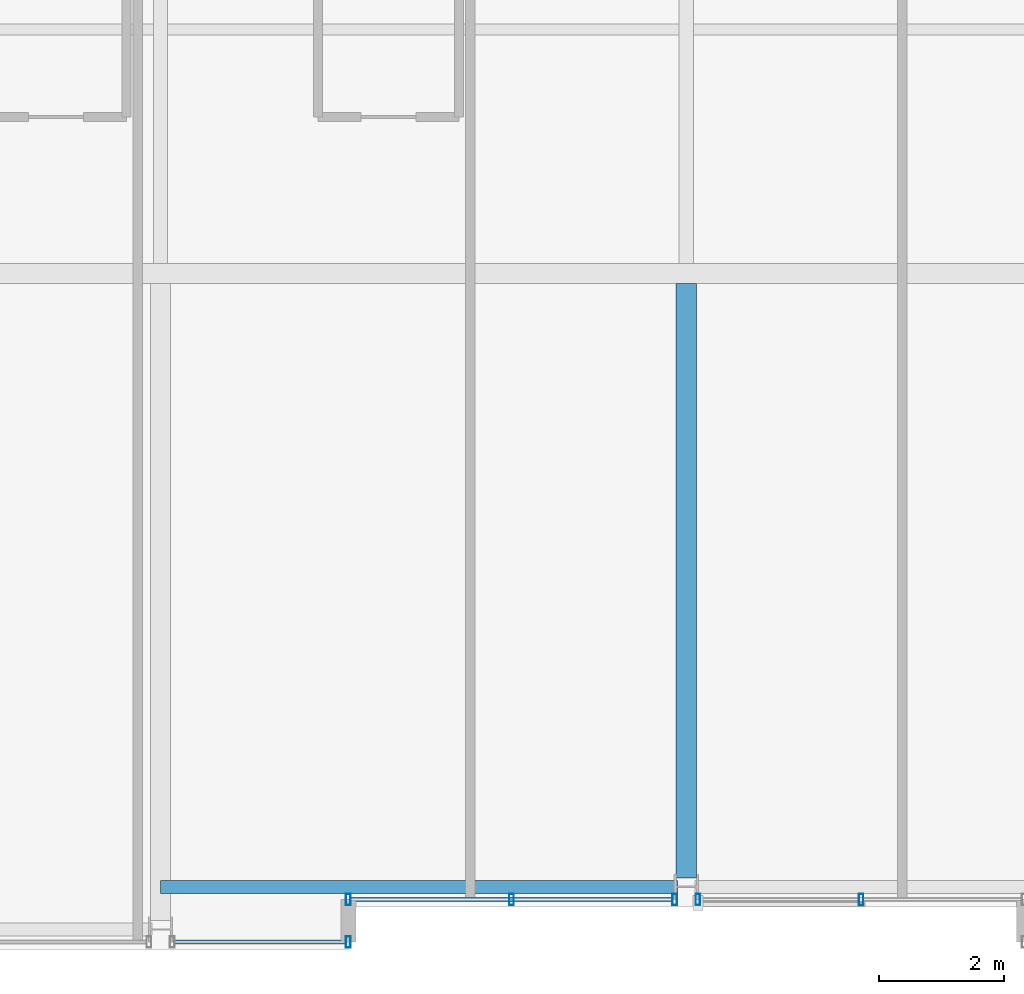
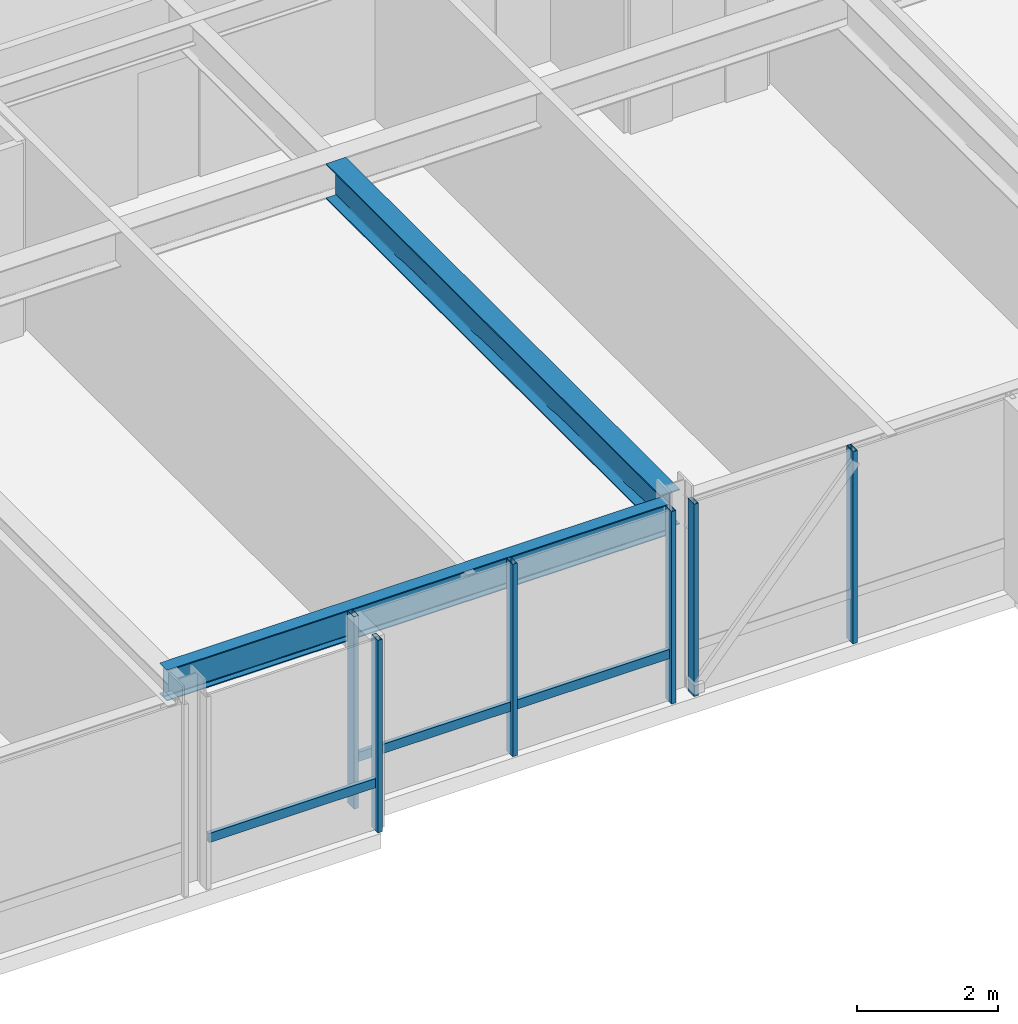
# One storey, part 5 of 32: 8 members, 2 beams, 3 elements without a shape of their own.
"""IFC4 building model written with IfcOpenShell, lengths in metres."""

from ifc_helpers import new_model, si_unit, direction, frame, origin, origin_2d, place, context, subcontext, project, spatial, hollow_rectangle, i_section, extrude, material, layer, layer_set, material_profile, profile_set, type_object, element, aggregate, save


model = new_model("IFC4")

# Units and contexts
model_context = context("Model", 3, precision=1e-05, world=origin(), true_north=direction((0.0, 1.0)))
body_context = subcontext(model_context, "Body", "Model", "MODEL_VIEW")
ifc_project = project(units=[si_unit("LENGTHUNIT", "METRE"), si_unit("AREAUNIT", "SQUARE_METRE"), si_unit("VOLUMEUNIT", "CUBIC_METRE"), si_unit("PLANEANGLEUNIT", "RADIAN"), si_unit("MASSUNIT", "GRAM", prefix="KILO")], contexts=[model_context])

# Site, building, storey
site_placement = place(None, origin())
site = spatial("IfcSite", under=ifc_project, at=site_placement, CompositionType="ELEMENT")
building_placement = place(site_placement, origin())
building = spatial("IfcBuilding", under=site, at=building_placement, Name="Drelvath Grand Hotel", CompositionType="ELEMENT")
storey_placement = place(building_placement, frame((0.0, 0.0, 226.699951171875)))
storey = spatial("IfcBuildingStorey", under=building, at=storey_placement, Name="L59", CompositionType="ELEMENT", Elevation=226.699951171875)

# Curtain wall, member
ifc_material_1 = material(Name="Platinum-Mist Anodised Aluminium Frame", Category="aluminium")
ifc_layer = layer(ifc_material_1, 0.199951171875)
ifc_layer_set = layer_set([ifc_layer], Name="Platinum-Mist Anodised Aluminium Frame")
curtain_wall_type = type_object("IfcCurtainWallType", Name="Stick Curtain Wall CW-05 Platinum Mist High-Rise", PredefinedType="NOTDEFINED", material=ifc_layer_set)
curtain_wall_1_placement = place(storey_placement, origin())
curtain_wall_1 = element("IfcCurtainWall", 1, at=curtain_wall_1_placement, inside=storey, type_object=curtain_wall_type, Name="L59 CW-05 Curtain Wall CW05-L59-SM1", PredefinedType="NOTDEFINED")
ifc_material_profile_1 = material_profile(ifc_material_1, hollow_rectangle(XDim=0.06494140625, YDim=0.159912109375, WallThickness=0.00390625, at=origin_2d()), Name="HSS160X65X4")
ifc_profile_set_1 = profile_set([ifc_material_profile_1], Name="Platinum-Mist Anodised Aluminium Frame")
member_type_1 = type_object("IfcMemberType", Name="Curtain Wall Horizontal Transom CW-05 HSS160X65X4", PredefinedType="USERDEFINED", material=ifc_profile_set_1)
member_1_placement = place(storey_placement, frame((-0.225341796875, 0.800048828125, 0.8349609375), z_axis=(-1.0, 0.0, 0.0), x_axis=(0.0, -1.0, 0.0)))
member_1 = element("IfcMember", 2, at=member_1_placement, type_object=member_type_1, Name="CW05-L59-SM1 Sill Transom", ObjectType="TRANSOM", PredefinedType="USERDEFINED", context=body_context, shape_type="SweptSolid", body=[
    extrude(hollow_rectangle(XDim=0.06494140625, YDim=0.159912109375, WallThickness=0.00390625, at=origin_2d()), origin(), (0.0, 0.0, 1.0), 5.134765625),
])

curtain_wall_2_placement = place(storey_placement, origin())
curtain_wall_2 = element("IfcCurtainWall", 3, at=curtain_wall_2_placement, inside=storey, type_object=curtain_wall_type, Name="L59 CW-05 Curtain Wall CW05-L59-SW3", PredefinedType="NOTDEFINED")
member_2_placement = place(storey_placement, frame((-5.43994140625, 0.1201171875, 0.8349609375), z_axis=(-1.0, 0.0, 0.0), x_axis=(0.0, -1.0, 0.0)))
member_2 = element("IfcMember", 4, at=member_2_placement, type_object=member_type_1, Name="CW05-L59-SW3 Sill Transom", ObjectType="TRANSOM", PredefinedType="USERDEFINED", context=body_context, shape_type="SweptSolid", body=[
    extrude(hollow_rectangle(XDim=0.06494140625, YDim=0.159912109375, WallThickness=0.00390625, at=origin_2d()), origin(), (0.0, 0.0, 1.0), 2.73486328125),
])

# Member
ifc_material_profile_2 = material_profile(ifc_material_1, hollow_rectangle(XDim=0.074951171875, YDim=0.179931640625, WallThickness=0.0048828125, at=origin_2d()), Name="HSS180X75X5")
ifc_profile_set_2 = profile_set([ifc_material_profile_2], Name="Platinum-Mist Anodised Aluminium Frame")
member_type_2 = type_object("IfcMemberType", Name="Curtain Wall Vertical Mullion CW-05 HSS180X75X5", PredefinedType="MULLION", material=ifc_profile_set_2)
member_3_placement = place(storey_placement, frame((-0.185302734375, 0.800048828125, 0.0), z_axis=(0.0, 0.0, 1.0), x_axis=(1.0, 0.0, 0.0)))
member_3 = element("IfcMember", 5, at=member_3_placement, type_object=member_type_2, Name="CW05-L59-SM1 Mullion 1", PredefinedType="MULLION", context=body_context, shape_type="SweptSolid", body=[
    extrude(hollow_rectangle(XDim=0.074951171875, YDim=0.179931640625, WallThickness=0.0048828125, at=origin_2d()), origin(), (0.0, 0.0, 1.0), 3.340087890625),
])

member_4_placement = place(storey_placement, frame((-2.792724609375, 0.800048828125, 0.0), z_axis=(0.0, 0.0, 1.0), x_axis=(1.0, 0.0, 0.0)))
member_4 = element("IfcMember", 6, at=member_4_placement, type_object=member_type_2, Name="CW05-L59-SM1 Mullion 2", PredefinedType="MULLION", context=body_context, shape_type="SweptSolid", body=[
    extrude(hollow_rectangle(XDim=0.074951171875, YDim=0.179931640625, WallThickness=0.0048828125, at=origin_2d()), origin(), (0.0, 0.0, 1.0), 3.340087890625),
])

member_5_placement = place(storey_placement, frame((-5.39990234375, 0.800048828125, 0.0), z_axis=(0.0, 0.0, 1.0), x_axis=(1.0, 0.0, 0.0)))
member_5 = element("IfcMember", 7, at=member_5_placement, type_object=member_type_2, Name="CW05-L59-SM1 Mullion 3", PredefinedType="MULLION", context=body_context, shape_type="SweptSolid", body=[
    extrude(hollow_rectangle(XDim=0.074951171875, YDim=0.179931640625, WallThickness=0.0048828125, at=origin_2d()), origin(), (0.0, 0.0, 1.0), 3.340087890625),
])

aggregate(curtain_wall_1, [member_3, member_4, member_5, member_1])

# Curtain wall, members
curtain_wall_3_placement = place(storey_placement, origin())
curtain_wall_3 = element("IfcCurtainWall", 8, at=curtain_wall_3_placement, inside=storey, type_object=curtain_wall_type, Name="L59 CW-05 Curtain Wall CW05-L59-SM2", PredefinedType="NOTDEFINED")
member_6_placement = place(storey_placement, frame((2.792724609375, 0.800048828125, 0.0), z_axis=(0.0, 0.0, 1.0), x_axis=(1.0, 0.0, 0.0)))
member_6 = element("IfcMember", 9, at=member_6_placement, type_object=member_type_2, Name="CW05-L59-SM2 Mullion 2", PredefinedType="MULLION", context=body_context, shape_type="SweptSolid", body=[
    extrude(hollow_rectangle(XDim=0.074951171875, YDim=0.179931640625, WallThickness=0.0048828125, at=origin_2d()), origin(), (0.0, 0.0, 1.0), 3.340087890625),
])
member_7_placement = place(storey_placement, frame((0.185302734375, 0.800048828125, 0.0), z_axis=(0.0, 0.0, 1.0), x_axis=(1.0, 0.0, 0.0)))
member_7 = element("IfcMember", 10, at=member_7_placement, type_object=member_type_2, Name="CW05-L59-SM2 Mullion 3", PredefinedType="MULLION", context=body_context, shape_type="SweptSolid", body=[
    extrude(hollow_rectangle(XDim=0.074951171875, YDim=0.179931640625, WallThickness=0.0048828125, at=origin_2d()), origin(), (0.0, 0.0, 1.0), 3.340087890625),
])
aggregate(curtain_wall_3, [member_6, member_7])

# Member
member_8_placement = place(storey_placement, frame((-5.39990234375, 0.1201171875, 0.0), z_axis=(0.0, 0.0, 1.0), x_axis=(1.0, 0.0, 0.0)))
member_8 = element("IfcMember", 11, at=member_8_placement, type_object=member_type_2, Name="CW05-L59-SW3 Mullion 1", PredefinedType="MULLION", context=body_context, shape_type="SweptSolid", body=[
    extrude(hollow_rectangle(XDim=0.074951171875, YDim=0.179931640625, WallThickness=0.0048828125, at=origin_2d()), origin(), (0.0, 0.0, 1.0), 3.340087890625),
])

aggregate(curtain_wall_2, [member_8, member_2])

# Beams
ifc_material_2 = material(Name="Steel ASTM A992 Gr 50", Category="steel")
ifc_material_profile_3 = material_profile(ifc_material_2, i_section(OverallWidth=0.210205078125, OverallDepth=0.53662109375, WebThickness=0.010986328125, FlangeThickness=0.017333984375, FilletRadius=0.01806640625, at=origin_2d()), Name="W21X68")
ifc_profile_set_3 = profile_set([ifc_material_profile_3], Name="Steel ASTM A992 Gr 50")
beam_type_1 = type_object("IfcBeamType", Name="Perimeter Spandrel Beam W21X68", PredefinedType="SPANDREL", material=ifc_profile_set_3)
beam_1_placement = place(storey_placement, frame((-8.39990234375, 1.0, 3.071533203125), z_axis=(1.0, 0.0, 0.0), x_axis=(0.0, 1.0, 0.0)))
element("IfcBeam", 12, at=beam_1_placement, inside=storey, type_object=beam_type_1, Name="L59 Spandrel South Mid W", PredefinedType="SPANDREL", context=body_context, shape_type="SweptSolid", body=[
    extrude(i_section(OverallWidth=0.210205078125, OverallDepth=0.53662109375, WebThickness=0.010986328125, FlangeThickness=0.017333984375, FilletRadius=0.01806640625, at=origin_2d()), origin(), (0.0, 0.0, 1.0), 8.260009765625),
])
ifc_material_profile_4 = material_profile(ifc_material_2, i_section(OverallWidth=0.323974609375, OverallDepth=0.611083984375, WebThickness=0.0126953125, FlangeThickness=0.01904296875, FilletRadius=0.02197265625, at=origin_2d()), Name="W24X104")
ifc_profile_set_4 = profile_set([ifc_material_profile_4], Name="Steel ASTM A992 Gr 50")
beam_type_2 = type_object("IfcBeamType", Name="Primary Floor Girder W24X104", PredefinedType="BEAM", material=ifc_profile_set_4)
beam_2_placement = place(storey_placement, frame((0.0, 1.139892578125, 3.034423828125), z_axis=(0.0, 1.0, 0.0), x_axis=(-1.0, 0.0, 0.0)))
element("IfcBeam", 13, at=beam_2_placement, inside=storey, type_object=beam_type_2, Name="L59 South Wing Girder 5", PredefinedType="BEAM", context=body_context, shape_type="SweptSolid", body=[
    extrude(i_section(OverallWidth=0.323974609375, OverallDepth=0.611083984375, WebThickness=0.0126953125, FlangeThickness=0.01904296875, FilletRadius=0.02197265625, at=origin_2d()), origin(), (0.0, 0.0, 1.0), 9.498046875),
])

save(model, "model.ifc")
